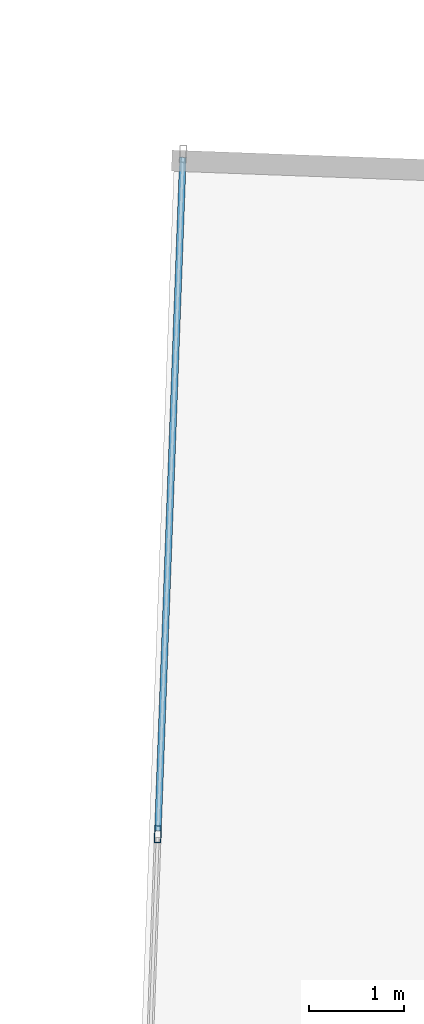
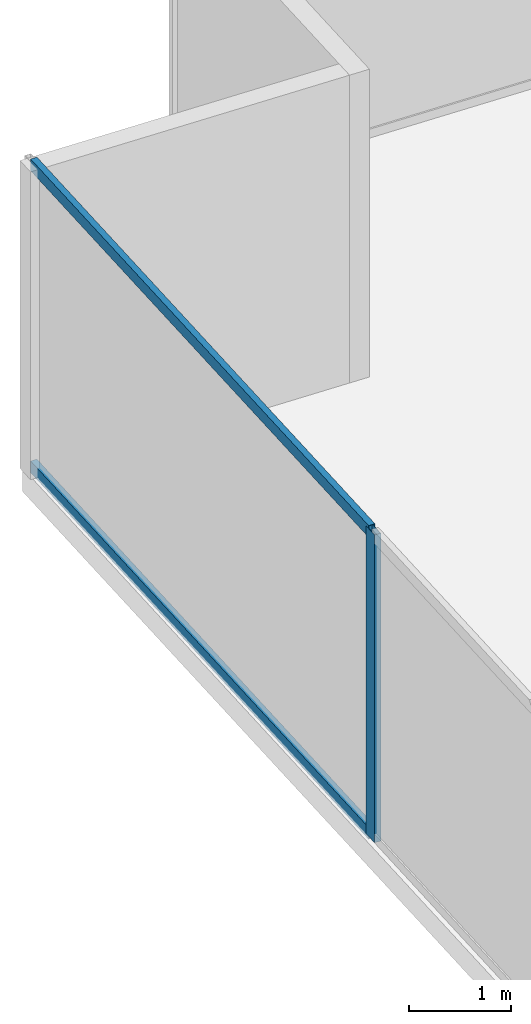
# One storey, part 19 of 30: 3 members, 1 element without a shape of its own.
"""IFC4 building model written with IfcOpenShell, lengths in metres."""

from ifc_helpers import new_model, si_unit, direction, frame, origin, origin_2d, place, context, subcontext, project, spatial, hollow_rectangle, extrude, source, transform, mapped, material, material_profile, profile_set, type_object, type_shapes, element, aggregate, save


model = new_model("IFC4")

# Units and contexts
model_context = context("Model", 3, precision=1e-05, world=origin(), true_north=direction((0.0, 1.0)))
body_context = subcontext(model_context, "Body", "Model", "MODEL_VIEW")
ifc_project = project(units=[si_unit("LENGTHUNIT", "METRE"), si_unit("AREAUNIT", "SQUARE_METRE"), si_unit("VOLUMEUNIT", "CUBIC_METRE"), si_unit("PLANEANGLEUNIT", "RADIAN"), si_unit("MASSUNIT", "GRAM", prefix="KILO")], contexts=[model_context])

# Site, building, storey
site_placement = place(None, origin())
site = spatial("IfcSite", under=ifc_project, at=site_placement, CompositionType="ELEMENT")
building_placement = place(site_placement, origin())
building = spatial("IfcBuilding", under=site, at=building_placement, Name="Krantzveldt Concourse Tower", CompositionType="ELEMENT")
storey_placement = place(building_placement, frame((0.0, 0.0, 44.75)))
storey = spatial("IfcBuildingStorey", under=building, at=storey_placement, Name="L10", CompositionType="ELEMENT", Elevation=44.75)

# Curtain wall, members
ifc_material = material(Name="Anodised aluminium 6063-T6", Category="aluminium")
curtain_wall_type = type_object("IfcCurtainWallType", Name="CW2", PredefinedType="USERDEFINED", material=ifc_material)
curtain_wall_placement = place(storey_placement, origin())
curtain_wall = element("IfcCurtainWall", 1, at=curtain_wall_placement, inside=storey, type_object=curtain_wall_type, Name="CW-L10-F01", ObjectType="UNITISED CURTAIN WALL", PredefinedType="USERDEFINED")
ifc_material_profile_1 = material_profile(ifc_material, hollow_rectangle(XDim=0.070068359375, YDim=0.179931640625, WallThickness=0.0048828125, at=origin_2d()), Name="Anodised aluminium 6063-T6", Category="aluminium")
ifc_profile_set_1 = profile_set([ifc_material_profile_1], Name="Anodised aluminium 6063-T6 - ALU-MULL 180x70x5")
member_type_1 = type_object("IfcMemberType", Name="CW-MUL-180", PredefinedType="MULLION", material=ifc_profile_set_1)
shared_shape_1 = source(origin(), body_context, "Body", "SweptSolid", [
    extrude(hollow_rectangle(XDim=0.070068359375, YDim=0.179931640625, WallThickness=0.0048828125, at=origin_2d()), origin(), (0.0, 0.0, 1.0), 3.669921875),
])
type_shapes(member_type_1, [shared_shape_1])
member_1_placement = place(storey_placement, frame((11.638671875, 41.947021484375, 0.0), z_axis=(0.0, 0.0, 1.0), x_axis=(0.999312308986, -0.037079766834, 0.0)))
member_1 = element("IfcMember", 2, at=member_1_placement, type_object=member_type_1, Name="CW-Z12 mullion 2", PredefinedType="MULLION", context=body_context, shape_type="MappedRepresentation", body=[
    mapped(shared_shape_1, transform((0.0, 0.0, 0.0), x_axis=(1.0, 0.0, 0.0), y_axis=(0.0, 1.0, 0.0), z_axis=(0.0, 0.0, 1.0), scale=1.0)),
])
ifc_material_profile_2 = material_profile(ifc_material, hollow_rectangle(XDim=0.070068359375, YDim=0.139892578125, WallThickness=0.0048828125, at=origin_2d()), Name="Anodised aluminium 6063-T6", Category="aluminium")
ifc_profile_set_2 = profile_set([ifc_material_profile_2], Name="Anodised aluminium 6063-T6 - ALU-TRAN 140x70x5")
member_type_2 = type_object("IfcMemberType", Name="CW-TRN-150", PredefinedType="USERDEFINED", material=ifc_profile_set_2)
shared_shape_2 = source(origin(), body_context, "Body", "SweptSolid", [
    extrude(hollow_rectangle(XDim=0.070068359375, YDim=0.139892578125, WallThickness=0.0048828125, at=origin_2d()), origin(), (0.0, 0.0, 1.0), 7.0615234375),
])
type_shapes(member_type_2, [shared_shape_2])
member_2_placement = place(storey_placement, frame((11.90185546875, 49.038818359375, 0.034912109375), z_axis=(-0.037097336281, -0.999311656912, 0.0), x_axis=(0.999311656912, -0.037097336281, 0.0)))
member_2 = element("IfcMember", 3, at=member_2_placement, type_object=member_type_2, Name="CW-Z12 transom 1.1", ObjectType="TRANSOM", PredefinedType="USERDEFINED", context=body_context, shape_type="MappedRepresentation", body=[
    mapped(shared_shape_2, transform((0.0, 0.0, 0.0), x_axis=(1.0, 0.0, 0.0), y_axis=(0.0, 1.0, 0.0), z_axis=(0.0, 0.0, 1.0), scale=1.0)),
])
member_3_placement = place(storey_placement, frame((11.90185546875, 49.038818359375, 3.635009765625), z_axis=(-0.037097336281, -0.999311656912, 0.0), x_axis=(0.999311656912, -0.037097336281, 0.0)))
member_3 = element("IfcMember", 4, at=member_3_placement, type_object=member_type_2, Name="CW-Z12 transom 1.2", ObjectType="TRANSOM", PredefinedType="USERDEFINED", context=body_context, shape_type="MappedRepresentation", body=[
    mapped(shared_shape_2, transform((0.0, 0.0, 0.0), x_axis=(1.0, 0.0, 0.0), y_axis=(0.0, 1.0, 0.0), z_axis=(0.0, 0.0, 1.0), scale=1.0)),
])
aggregate(curtain_wall, [member_1, member_2, member_3])

save(model, "model.ifc")
